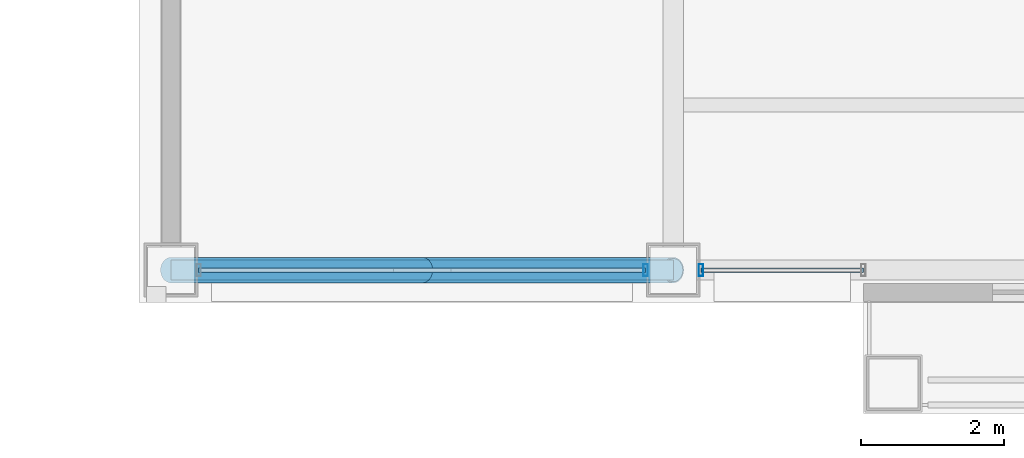
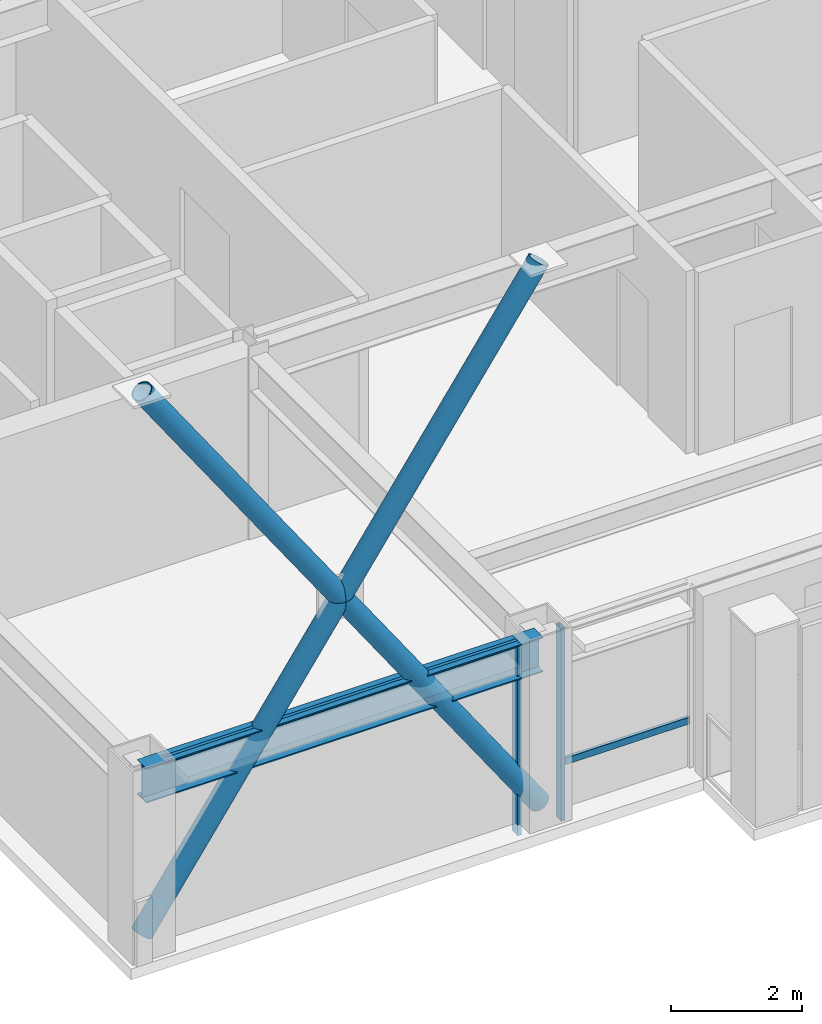
# One storey, part 3 of 30: 7 members, 1 beam, 2 elements without a shape of their own.
"""IFC4 building model written with IfcOpenShell, lengths in metres."""

from ifc_helpers import new_model, si_unit, direction, frame, origin, origin_2d, place, context, subcontext, project, spatial, hollow_rectangle, hollow_circle, i_section, extrude, material, layer, layer_set, material_profile, profile_set, type_object, element, aggregate, save


model = new_model("IFC4")

# Units and contexts
model_context = context("Model", 3, precision=1e-05, world=origin(), true_north=direction((0.0, 1.0)))
body_context = subcontext(model_context, "Body", "Model", "MODEL_VIEW")
ifc_project = project(units=[si_unit("LENGTHUNIT", "METRE"), si_unit("AREAUNIT", "SQUARE_METRE"), si_unit("VOLUMEUNIT", "CUBIC_METRE"), si_unit("PLANEANGLEUNIT", "RADIAN"), si_unit("MASSUNIT", "GRAM", prefix="KILO")], contexts=[model_context])

# Site, building, storey
site_placement = place(None, origin())
site = spatial("IfcSite", under=ifc_project, at=site_placement, CompositionType="ELEMENT")
building_placement = place(site_placement, origin())
building = spatial("IfcBuilding", under=site, at=building_placement, Name="Brelmoor Portico Tower", CompositionType="ELEMENT")
storey_placement = place(building_placement, frame((0.0, 0.0, 173.10009765625)))
storey = spatial("IfcBuildingStorey", under=building, at=storey_placement, Name="L45", CompositionType="ELEMENT", Elevation=173.10009765625)

# Beam
ifc_material_1 = material(Name="Steel Q355B", Category="steel")
ifc_material_profile_1 = material_profile(ifc_material_1, i_section(OverallWidth=0.280029296875, OverallDepth=0.64990234375, WebThickness=0.012939453125, FlangeThickness=0.02197265625, at=origin_2d()), Name="HN 650x280x13x22")
ifc_profile_set_1 = profile_set([ifc_material_profile_1], Name="Steel Q355B")
beam_type = type_object("IfcBeamType", Name="BM-SP-650", PredefinedType="SPANDREL", material=ifc_profile_set_1)
beam_placement = place(storey_placement, frame((-15.050048828125, -18.550048828125, 3.074951171875), z_axis=(1.0, 0.0, 0.0), x_axis=(0.0, 1.0, 0.0)))
element("IfcBeam", 1, at=beam_placement, inside=storey, type_object=beam_type, Name="L45 Perimeter Spandrel Beam SP-01", PredefinedType="SPANDREL", context=body_context, shape_type="SweptSolid", body=[
    extrude(i_section(OverallWidth=0.280029296875, OverallDepth=0.64990234375, WebThickness=0.012939453125, FlangeThickness=0.02197265625, at=origin_2d()), origin(), (0.0, 0.0, 1.0), 7.0),
])

# Members
ifc_material_profile_2 = material_profile(ifc_material_1, hollow_circle(Radius=0.177978515625, WallThickness=0.01611328125, at=origin_2d()), Name="CHS 356x16")
ifc_profile_set_2 = profile_set([ifc_material_profile_2], Name="Steel Q355B")
member_type_1 = type_object("IfcMemberType", Name="MB-BELT-DIAG2", PredefinedType="BRACE", material=ifc_profile_set_2)
member_1_placement = place(storey_placement, frame((-15.050048828125, -18.550048828125, 0.25), z_axis=(0.569638640345, 0.0, 0.821895260618), x_axis=(0.0, 1.0, 0.0)))
element("IfcMember", 2, at=member_1_placement, inside=storey, type_object=member_type_1, Name="L45 Continuous Mega-X Brace 098A", PredefinedType="BRACE", context=body_context, shape_type="SweptSolid", body=[
    extrude(hollow_circle(Radius=0.177978515625, WallThickness=0.01611328125, at=origin_2d()), origin(), (0.0, 0.0, 1.0), 12.28857421875),
])
member_2_placement = place(storey_placement, frame((-8.050048828125, -18.550048828125, 0.25), z_axis=(-0.569647942054, 0.0, 0.821888813717), x_axis=(0.0, -1.0, 0.0)))
element("IfcMember", 3, at=member_2_placement, inside=storey, type_object=member_type_1, Name="L45 Split Mega-X Brace 098B1", PredefinedType="BRACE", context=body_context, shape_type="SweptSolid", body=[
    extrude(hollow_circle(Radius=0.177978515625, WallThickness=0.01611328125, at=origin_2d()), origin(), (0.0, 0.0, 1.0), 6.14404296875),
])
member_3_placement = place(storey_placement, frame((-11.550048828125, -18.550048828125, 5.2998046875), z_axis=(-0.569629338867, 0.0, 0.821901707203), x_axis=(0.0, -1.0, 0.0)))
element("IfcMember", 4, at=member_3_placement, inside=storey, type_object=member_type_1, Name="L45 Split Mega-X Brace 098B2", PredefinedType="BRACE", context=body_context, shape_type="SweptSolid", body=[
    extrude(hollow_circle(Radius=0.177978515625, WallThickness=0.01611328125, at=origin_2d()), origin(), (0.0, 0.0, 1.0), 6.144287109375),
])

# Curtain wall, member
ifc_material_2 = material(Name="Anodised Aluminium Alloy 6063-T6", Category="aluminium")
ifc_layer_1 = layer(ifc_material_2, 0.179931640625)
ifc_layer_set_1 = layer_set([ifc_layer_1], Name="Anodised Aluminium Alloy 6063-T6")
curtain_wall_type_1 = type_object("IfcCurtainWallType", Name="CW-TOWER-Z3-XB", PredefinedType="NOTDEFINED", material=ifc_layer_set_1)
curtain_wall_1_placement = place(storey_placement, origin())
curtain_wall_1 = element("IfcCurtainWall", 5, at=curtain_wall_1_placement, inside=storey, type_object=curtain_wall_type_1, Name="L45 Curtain Wall CW-L45-1L-1", PredefinedType="NOTDEFINED")
ifc_material_profile_3 = material_profile(ifc_material_2, hollow_rectangle(XDim=0.06494140625, YDim=0.1650390625, WallThickness=0.00390625, at=origin_2d()), Name="ALU MULLION 65x165")
ifc_profile_set_3 = profile_set([ifc_material_profile_3], Name="Anodised Aluminium Alloy 6063-T6")
member_type_2 = type_object("IfcMemberType", Name="MB-CW-MULL-165", PredefinedType="MULLION", material=ifc_profile_set_3)
member_4_placement = place(storey_placement, frame((-8.43505859375, -18.550048828125, -0.2001953125), z_axis=(0.0, 0.0, 1.0), x_axis=(1.0, 0.0, 0.0)))
member_4 = element("IfcMember", 6, at=member_4_placement, type_object=member_type_2, Name="CW-L45-1L-1 Mullion 01", PredefinedType="MULLION", context=body_context, shape_type="SweptSolid", body=[
    extrude(hollow_rectangle(XDim=0.06494140625, YDim=0.1650390625, WallThickness=0.00390625, at=origin_2d()), origin(), (0.0, 0.0, 1.0), 3.60009765625),
])

ifc_layer_2 = layer(ifc_material_2, 0.179931640625)
ifc_layer_set_2 = layer_set([ifc_layer_2], Name="Anodised Aluminium Alloy 6063-T6")
curtain_wall_type_2 = type_object("IfcCurtainWallType", Name="CW-TOWER-Z3", PredefinedType="NOTDEFINED", material=ifc_layer_set_2)
curtain_wall_2_placement = place(storey_placement, origin())
curtain_wall_2 = element("IfcCurtainWall", 7, at=curtain_wall_2_placement, inside=storey, type_object=curtain_wall_type_2, Name="L45 Curtain Wall CW-L45-1L-2", PredefinedType="NOTDEFINED")
member_5_placement = place(storey_placement, frame((-7.6650390625, -18.550048828125, -0.2001953125), z_axis=(0.0, 0.0, 1.0), x_axis=(1.0, 0.0, 0.0)))
member_5 = element("IfcMember", 8, at=member_5_placement, type_object=member_type_2, Name="CW-L45-1L-2 Mullion 00", PredefinedType="MULLION", context=body_context, shape_type="SweptSolid", body=[
    extrude(hollow_rectangle(XDim=0.06494140625, YDim=0.1650390625, WallThickness=0.00390625, at=origin_2d()), origin(), (0.0, 0.0, 1.0), 3.60009765625),
])

# Member
ifc_material_profile_4 = material_profile(ifc_material_2, hollow_rectangle(XDim=0.06005859375, YDim=0.125, WallThickness=0.00341796875, at=origin_2d()), Name="ALU TRANSOM 60x125")
ifc_profile_set_4 = profile_set([ifc_material_profile_4], Name="Anodised Aluminium Alloy 6063-T6")
member_type_3 = type_object("IfcMemberType", Name="MB-CW-TRAN-125", PredefinedType="USERDEFINED", material=ifc_profile_set_4)
member_6_placement = place(storey_placement, frame((-14.6650390625, -18.550048828125, 3.33740234375), z_axis=(1.0, 0.0, 0.0), x_axis=(0.0, 1.0, 0.0)))
member_6 = element("IfcMember", 9, at=member_6_placement, type_object=member_type_3, Name="CW-L45-1L-1 Transom 1-00", ObjectType="TRANSOM", PredefinedType="USERDEFINED", context=body_context, shape_type="SweptSolid", body=[
    extrude(hollow_rectangle(XDim=0.06005859375, YDim=0.125, WallThickness=0.00341796875, at=origin_2d()), origin(), (0.0, 0.0, 1.0), 6.22998046875),
])

aggregate(curtain_wall_1, [member_4, member_6])

member_7_placement = place(storey_placement, frame((-7.6650390625, -18.550048828125, 0.849853515625), z_axis=(1.0, 0.0, 0.0), x_axis=(0.0, 1.0, 0.0)))
member_7 = element("IfcMember", 10, at=member_7_placement, type_object=member_type_3, Name="CW-L45-1L-2 Transom 1-00", ObjectType="TRANSOM", PredefinedType="USERDEFINED", context=body_context, shape_type="SweptSolid", body=[
    extrude(hollow_rectangle(XDim=0.06005859375, YDim=0.125, WallThickness=0.00341796875, at=origin_2d()), origin(), (0.0, 0.0, 1.0), 2.26513671875),
])

aggregate(curtain_wall_2, [member_5, member_7])

save(model, "model.ifc")
